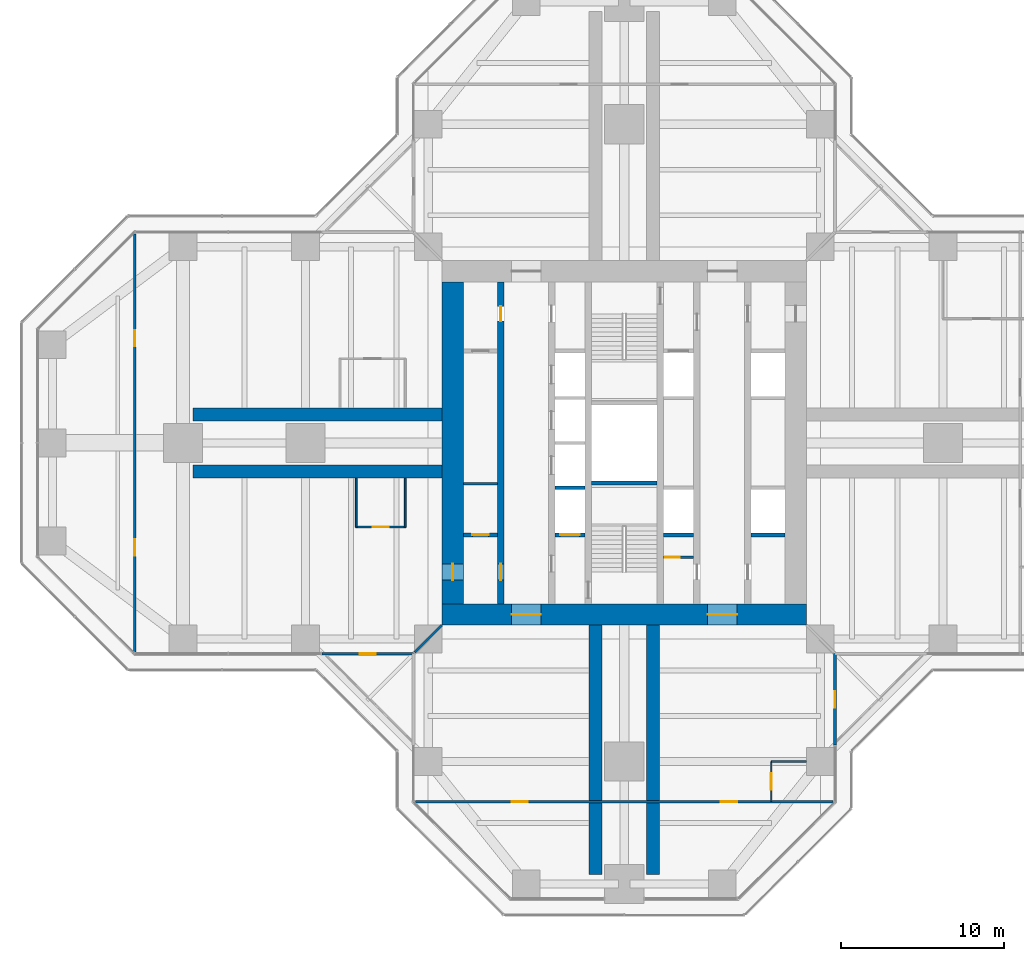
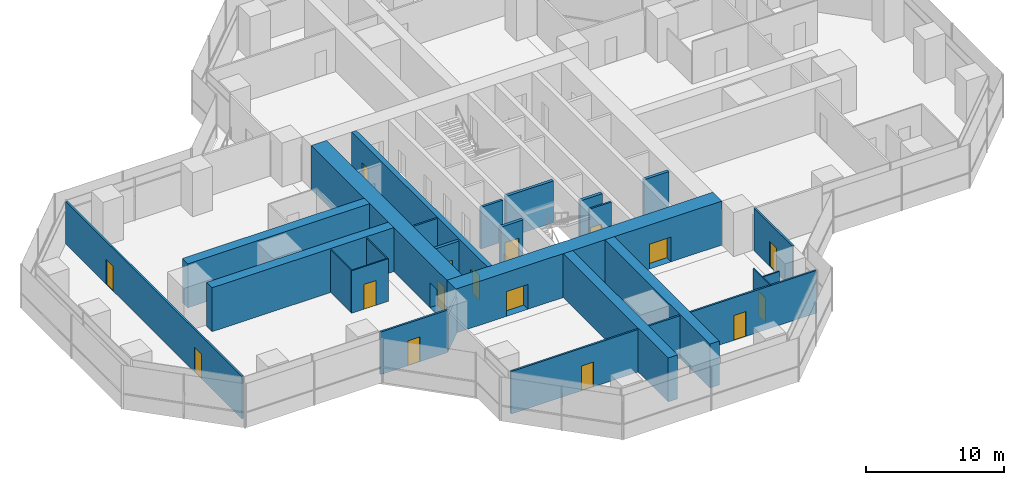
# One storey, part 15 of 19: 25 walls, 16 doors, 16 openings.
"""IFC4 building model written with IfcOpenShell, lengths in metres."""

from ifc_helpers import new_model, si_unit, direction, frame, frame_2d, origin, place, context, subcontext, project, spatial, rectangle, extrude, material, layer, layer_set, type_object, element, fill, save


model = new_model("IFC4")

# Units and contexts
model_context = context("Model", 3, precision=1e-05, world=origin(), true_north=direction((0.0, 1.0)))
body_context = subcontext(model_context, "Body", "Model", "MODEL_VIEW")
ifc_project = project(units=[si_unit("LENGTHUNIT", "METRE"), si_unit("AREAUNIT", "SQUARE_METRE"), si_unit("VOLUMEUNIT", "CUBIC_METRE"), si_unit("PLANEANGLEUNIT", "RADIAN"), si_unit("MASSUNIT", "GRAM", prefix="KILO")], contexts=[model_context])

# Site, building, storey
site_placement = place(None, origin())
site = spatial("IfcSite", under=ifc_project, at=site_placement, CompositionType="ELEMENT")
building_placement = place(site_placement, origin())
building = spatial("IfcBuilding", under=site, at=building_placement, Name="Mizan Broadcast Tower", CompositionType="ELEMENT")
storey_placement = place(building_placement, frame((0.0, 0.0, 128.10009765625)))
storey = spatial("IfcBuildingStorey", under=building, at=storey_placement, Name="L28", CompositionType="ELEMENT", Elevation=128.10009765625)

# Wall, openings, doors
ifc_material_1 = material(Name="Concrete C70/85", Category="concrete")
ifc_layer_1 = layer(ifc_material_1, 0.39990234375)
ifc_layer_set_1 = layer_set([ifc_layer_1], Name="Concrete C70/85")
wall_type_1 = type_object("IfcWallType", Name="CORE INTERNAL WALL 400", PredefinedType="SHEAR", material=ifc_layer_set_1)
wall_1_placement = place(storey_placement, frame((-7.550048828125, -9.85009765625, 0.0), z_axis=(0.0, 0.0, 1.0), x_axis=(0.0, 1.0, 0.0)))
wall_1 = element("IfcWall", 1, at=wall_1_placement, inside=storey, type_object=wall_type_1, Name="Core wall CORE/XW1", PredefinedType="SHEAR", context=body_context, shape_type="SweptSolid", body=[
    extrude(rectangle(XDim=19.7001953125, YDim=0.39990234375, at=frame_2d((9.85009765625, 0.0))), origin(), (0.0, 0.0, 1.0), 3.89990234375),
])
opening_1_placement = place(wall_1_placement, frame((1.449951171875, 0.0, 0.0)))
opening_1 = element("IfcOpeningElement", 2, at=opening_1_placement, cuts=wall_1, Name="Opening D10F", PredefinedType="OPENING", context=body_context, shape_type="SweptSolid", body=[
    extrude(rectangle(XDim=1.0, YDim=2.199951171875, at=frame_2d((0.5, 1.10009765625))), frame((0.0, 0.2099609375, 0.0), z_axis=(0.0, -1.0, 0.0), x_axis=(1.0, 0.0, 0.0)), (0.0, 0.0, 1.0), 0.419921875),
])
opening_2_placement = place(wall_1_placement, frame((17.300048828125, 0.0, 0.0)))
opening_2 = element("IfcOpeningElement", 3, at=opening_2_placement, cuts=wall_1, Name="Opening D09", PredefinedType="OPENING", context=body_context, shape_type="SweptSolid", body=[
    extrude(rectangle(XDim=0.89990234375, YDim=2.10009765625, at=frame_2d((0.449951171875, 1.050048828125))), frame((0.0, 0.2099609375, 0.0), z_axis=(0.0, -1.0, 0.0), x_axis=(1.0, 0.0, 0.0)), (0.0, 0.0, 1.0), 0.419921875),
])
ifc_material_2 = material(Name="Steel door leaf in steel frame", Category="steel")
door_type_1 = type_object("IfcDoorType", Name="FIRE DOOR 1000 FD90", OperationType="SINGLE_SWING_LEFT", PredefinedType="DOOR", material=ifc_material_2)
door_1_placement = place(opening_1_placement, origin())
door_1 = element("IfcDoor", 4, at=door_1_placement, inside=storey, type_object=door_type_1, Name="West core passage door", OperationType="SINGLE_SWING_LEFT", OverallHeight=2.199951171875, OverallWidth=1.0, PredefinedType="DOOR", context=body_context, shape_type="SweptSolid", body=[
    extrude(rectangle(XDim=1.0, YDim=2.199951171875, at=frame_2d((0.5, 1.10009765625))), frame((0.0, 0.02490234375, 0.0), z_axis=(0.0, -1.0, 0.0), x_axis=(1.0, 0.0, 0.0)), (0.0, 0.0, 1.0), 0.050048828125),
])
fill(opening_1, door_1)
ifc_material_3 = material(Name="Timber door leaf in aluminium frame", Category="wood")
door_type_2 = type_object("IfcDoorType", Name="TOILET DOOR 900", OperationType="SINGLE_SWING_LEFT", PredefinedType="DOOR", material=ifc_material_3)
door_2_placement = place(opening_2_placement, origin())
door_2 = element("IfcDoor", 5, at=door_2_placement, inside=storey, type_object=door_type_2, Name="Male WC door", OperationType="SINGLE_SWING_RIGHT", OverallHeight=2.10009765625, OverallWidth=0.89990234375, PredefinedType="DOOR", context=body_context, shape_type="SweptSolid", body=[
    extrude(rectangle(XDim=0.89990234375, YDim=2.10009765625, at=frame_2d((0.449951171875, 1.050048828125))), frame((0.0, 0.02490234375, 0.0), z_axis=(0.0, -1.0, 0.0), x_axis=(1.0, 0.0, 0.0)), (0.0, 0.0, 1.0), 0.050048828125),
])
fill(opening_2, door_2)

# Wall
ifc_material_4 = material(Name="Concrete blockwork", Category="masonry")
ifc_layer_2 = layer(ifc_material_4, 0.14990234375)
ifc_layer_set_2 = layer_set([ifc_layer_2], Name="Concrete blockwork")
wall_type_2 = type_object("IfcWallType", Name="CORE PARTITION 150", PredefinedType="SOLIDWALL", material=ifc_layer_set_2)
wall_2_placement = place(storey_placement, frame((-9.85009765625, -2.5, 0.0), z_axis=(0.0, 0.0, 1.0), x_axis=(1.0, 0.0, 0.0)))
element("IfcWall", 6, at=wall_2_placement, inside=storey, type_object=wall_type_2, Name="Core partition CORE/XP1", PredefinedType="SOLIDWALL", context=body_context, shape_type="SweptSolid", body=[
    extrude(rectangle(XDim=2.10009765625, YDim=0.14990234375, at=frame_2d((1.050048828125, 0.0))), origin(), (0.0, 0.0, 1.0), 3.77001953125),
])

# Wall, opening, door
wall_3_placement = place(storey_placement, frame((2.39990234375, -7.0, 0.0), z_axis=(0.0, 0.0, 1.0), x_axis=(1.0, 0.0, 0.0)))
wall_3 = element("IfcWall", 7, at=wall_3_placement, inside=storey, type_object=wall_type_2, Name="Core partition CORE/XPC", PredefinedType="SOLIDWALL", context=body_context, shape_type="SweptSolid", body=[
    extrude(rectangle(XDim=1.85009765625, YDim=0.14990234375, at=frame_2d((0.925048828125, 0.0))), origin(), (0.0, 0.0, 1.0), 3.77001953125),
])
opening_3_placement = place(wall_3_placement, frame((0.10009765625, 0.0, 0.0)))
opening_3 = element("IfcOpeningElement", 8, at=opening_3_placement, cuts=wall_3, Name="Opening D09F", PredefinedType="OPENING", context=body_context, shape_type="SweptSolid", body=[
    extrude(rectangle(XDim=0.89990234375, YDim=2.10009765625, at=frame_2d((0.449951171875, 1.050048828125))), frame((0.0, 0.0849609375, 0.0), z_axis=(0.0, -1.0, 0.0), x_axis=(1.0, 0.0, 0.0)), (0.0, 0.0, 1.0), 0.169921875),
])
ifc_material_5 = material(Name="Steel door leaf in steel frame", Category="steel")
door_type_3 = type_object("IfcDoorType", Name="CORE ROOM DOOR 900 FD90", OperationType="SINGLE_SWING_LEFT", PredefinedType="DOOR", material=ifc_material_5)
door_3_placement = place(opening_3_placement, origin())
door_3 = element("IfcDoor", 9, at=door_3_placement, inside=storey, type_object=door_type_3, Name="Waste store door", OperationType="SINGLE_SWING_LEFT", OverallHeight=2.10009765625, OverallWidth=0.89990234375, PredefinedType="DOOR", context=body_context, shape_type="SweptSolid", body=[
    extrude(rectangle(XDim=0.89990234375, YDim=2.10009765625, at=frame_2d((0.449951171875, 1.050048828125))), frame((0.0, 0.02490234375, 0.0), z_axis=(0.0, -1.0, 0.0), x_axis=(1.0, 0.0, 0.0)), (0.0, 0.0, 1.0), 0.050048828125),
])
fill(opening_3, door_3)

# Wall, openings, doors
ifc_material_6 = material(Name="Concrete C70/85", Category="concrete")
ifc_layer_3 = layer(ifc_material_6, 1.300048828125)
ifc_layer_set_3 = layer_set([ifc_layer_3], Name="Concrete C70/85")
wall_type_3 = type_object("IfcWallType", Name="CORE WALL 1300", PredefinedType="SHEAR", material=ifc_layer_set_3)
wall_4_placement = place(storey_placement, frame((11.14990234375, -10.5, 0.0), z_axis=(0.0, 0.0, 1.0), x_axis=(-1.0, 0.0, 0.0)))
wall_4 = element("IfcWall", 10, at=wall_4_placement, inside=storey, type_object=wall_type_3, Name="Core wall S L28", PredefinedType="SHEAR", context=body_context, shape_type="SweptSolid", body=[
    extrude(rectangle(XDim=22.2998046875, YDim=1.300048828125, at=frame_2d((11.14990234375, 0.0))), origin(), (0.0, 0.0, 1.0), 3.89990234375),
])
opening_4_placement = place(wall_4_placement, frame((16.25, 0.0, 0.0)))
opening_4 = element("IfcOpeningElement", 11, at=opening_4_placement, cuts=wall_4, Name="Opening D18F", PredefinedType="OPENING", context=body_context, shape_type="SweptSolid", body=[
    extrude(rectangle(XDim=1.800048828125, YDim=2.199951171875, at=frame_2d((0.89990234375, 1.10009765625))), frame((0.0, 0.659912109375, 0.0), z_axis=(0.0, -1.0, 0.0), x_axis=(1.0, 0.0, 0.0)), (0.0, 0.0, 1.0), 1.320068359375),
])
opening_5_placement = place(wall_4_placement, frame((4.25, 0.0, 0.0)))
opening_5 = element("IfcOpeningElement", 12, at=opening_5_placement, cuts=wall_4, Name="Opening D18F", PredefinedType="OPENING", context=body_context, shape_type="SweptSolid", body=[
    extrude(rectangle(XDim=1.800048828125, YDim=2.199951171875, at=frame_2d((0.89990234375, 1.10009765625))), frame((0.0, 0.659912109375, 0.0), z_axis=(0.0, -1.0, 0.0), x_axis=(1.0, 0.0, 0.0)), (0.0, 0.0, 1.0), 1.320068359375),
])
ifc_material_7 = material(Name="Steel door leaf in steel frame", Category="steel")
door_type_4 = type_object("IfcDoorType", Name="LOBBY DOUBLE DOOR 1800 FD90", OperationType="DOUBLE_DOOR_DOUBLE_SWING", PredefinedType="DOOR", material=ifc_material_7)
door_4_placement = place(opening_4_placement, origin())
door_4 = element("IfcDoor", 13, at=door_4_placement, inside=storey, type_object=door_type_4, Name="West lift lobby south door", OperationType="DOUBLE_DOOR_DOUBLE_SWING", OverallHeight=2.199951171875, OverallWidth=1.800048828125, PredefinedType="DOOR", context=body_context, shape_type="SweptSolid", body=[
    extrude(rectangle(XDim=1.800048828125, YDim=2.199951171875, at=frame_2d((0.89990234375, 1.10009765625))), frame((0.0, 0.02490234375, 0.0), z_axis=(0.0, -1.0, 0.0), x_axis=(1.0, 0.0, 0.0)), (0.0, 0.0, 1.0), 0.050048828125),
])
fill(opening_4, door_4)
door_5_placement = place(opening_5_placement, origin())
door_5 = element("IfcDoor", 14, at=door_5_placement, inside=storey, type_object=door_type_4, Name="East lift lobby south door", OperationType="DOUBLE_DOOR_DOUBLE_SWING", OverallHeight=2.199951171875, OverallWidth=1.800048828125, PredefinedType="DOOR", context=body_context, shape_type="SweptSolid", body=[
    extrude(rectangle(XDim=1.800048828125, YDim=2.199951171875, at=frame_2d((0.89990234375, 1.10009765625))), frame((0.0, 0.02490234375, 0.0), z_axis=(0.0, -1.0, 0.0), x_axis=(1.0, 0.0, 0.0)), (0.0, 0.0, 1.0), 0.050048828125),
])
fill(opening_5, door_5)

# Wall, opening, door
wall_5_placement = place(storey_placement, frame((-10.5, 9.85009765625, 0.0), z_axis=(0.0, 0.0, 1.0), x_axis=(0.0, -1.0, 0.0)))
wall_5 = element("IfcWall", 15, at=wall_5_placement, inside=storey, type_object=wall_type_3, Name="Core wall W L28", PredefinedType="SHEAR", context=body_context, shape_type="SweptSolid", body=[
    extrude(rectangle(XDim=19.7001953125, YDim=1.300048828125, at=frame_2d((9.85009765625, 0.0))), origin(), (0.0, 0.0, 1.0), 3.89990234375),
])
opening_6_placement = place(wall_5_placement, frame((17.25, 0.0, 0.0)))
opening_6 = element("IfcOpeningElement", 16, at=opening_6_placement, cuts=wall_5, Name="Opening D10F", PredefinedType="OPENING", context=body_context, shape_type="SweptSolid", body=[
    extrude(rectangle(XDim=1.0, YDim=2.199951171875, at=frame_2d((0.5, 1.10009765625))), frame((0.0, 0.659912109375, 0.0), z_axis=(0.0, -1.0, 0.0), x_axis=(1.0, 0.0, 0.0)), (0.0, 0.0, 1.0), 1.320068359375),
])
door_6_placement = place(opening_6_placement, origin())
door_6 = element("IfcDoor", 17, at=door_6_placement, inside=storey, type_object=door_type_1, Name="West core passage arm door", OperationType="SINGLE_SWING_RIGHT", OverallHeight=2.199951171875, OverallWidth=1.0, PredefinedType="DOOR", context=body_context, shape_type="SweptSolid", body=[
    extrude(rectangle(XDim=1.0, YDim=2.199951171875, at=frame_2d((0.5, 1.10009765625))), frame((0.0, 0.02490234375, 0.0), z_axis=(0.0, -1.0, 0.0), x_axis=(1.0, 0.0, 0.0)), (0.0, 0.0, 1.0), 0.050048828125),
])
fill(opening_6, door_6)

ifc_material_8 = material(Name="Aluminium framed glazed screen", Category="aluminium")
ifc_layer_4 = layer(ifc_material_8, 0.159912109375)
ifc_layer_set_4 = layer_set([ifc_layer_4], Name="Aluminium framed glazed screen")
wall_type_4 = type_object("IfcWallType", Name="GLAZED SCREEN WALL 160", PredefinedType="SOLIDWALL", material=ifc_layer_set_4)
wall_6_placement = place(storey_placement, frame((-18.5, -12.89990234375, 0.0), z_axis=(0.0, 0.0, 1.0), x_axis=(1.0, 0.0, 0.0)))
wall_6 = element("IfcWall", 18, at=wall_6_placement, inside=storey, type_object=wall_type_4, Name="Winter garden screen L28 W", PredefinedType="SOLIDWALL", context=body_context, shape_type="SweptSolid", body=[
    extrude(rectangle(XDim=5.60009765625, YDim=0.159912109375, at=frame_2d((2.800048828125, 0.0))), origin(), (0.0, 0.0, 1.0), 3.77001953125),
])
opening_7_placement = place(wall_6_placement, frame((2.300048828125, 0.0, 0.0)))
opening_7 = element("IfcOpeningElement", 19, at=opening_7_placement, cuts=wall_6, Name="Opening WGD", PredefinedType="OPENING", context=body_context, shape_type="SweptSolid", body=[
    extrude(rectangle(XDim=1.0, YDim=2.199951171875, at=frame_2d((0.5, 1.10009765625))), frame((0.0, 0.08984375, 0.0), z_axis=(0.0, -1.0, 0.0), x_axis=(1.0, 0.0, 0.0)), (0.0, 0.0, 1.0), 0.179931640625),
])
ifc_material_9 = material(Name="Aluminium framed glazed door", Category="aluminium")
door_type_5 = type_object("IfcDoorType", Name="WINTER GARDEN DOOR 1000 GLAZED", OperationType="SINGLE_SWING_LEFT", PredefinedType="DOOR", material=ifc_material_9)
door_7_placement = place(opening_7_placement, origin())
door_7 = element("IfcDoor", 20, at=door_7_placement, inside=storey, type_object=door_type_5, Name="Winter garden door L28 W", OperationType="SINGLE_SWING_RIGHT", OverallHeight=2.199951171875, OverallWidth=1.0, PredefinedType="DOOR", context=body_context, shape_type="SweptSolid", body=[
    extrude(rectangle(XDim=1.0, YDim=2.199951171875, at=frame_2d((0.5, 1.10009765625))), frame((0.0, 0.02490234375, 0.0), z_axis=(0.0, -1.0, 0.0), x_axis=(1.0, 0.0, 0.0)), (0.0, 0.0, 1.0), 0.050048828125),
])
fill(opening_7, door_7)

wall_7_placement = place(storey_placement, frame((12.89990234375, -18.5, 0.0), z_axis=(0.0, 0.0, 1.0), x_axis=(0.0, 1.0, 0.0)))
wall_7 = element("IfcWall", 21, at=wall_7_placement, inside=storey, type_object=wall_type_4, Name="Winter garden screen L28 S", PredefinedType="SOLIDWALL", context=body_context, shape_type="SweptSolid", body=[
    extrude(rectangle(XDim=5.60009765625, YDim=0.159912109375, at=frame_2d((2.800048828125, 0.0))), origin(), (0.0, 0.0, 1.0), 3.77001953125),
])
opening_8_placement = place(wall_7_placement, frame((2.300048828125, 0.0, 0.0)))
opening_8 = element("IfcOpeningElement", 22, at=opening_8_placement, cuts=wall_7, Name="Opening WGD", PredefinedType="OPENING", context=body_context, shape_type="SweptSolid", body=[
    extrude(rectangle(XDim=1.0, YDim=2.199951171875, at=frame_2d((0.5, 1.10009765625))), frame((0.0, 0.08984375, 0.0), z_axis=(0.0, -1.0, 0.0), x_axis=(1.0, 0.0, 0.0)), (0.0, 0.0, 1.0), 0.179931640625),
])
door_8_placement = place(opening_8_placement, origin())
door_8 = element("IfcDoor", 23, at=door_8_placement, inside=storey, type_object=door_type_5, Name="Winter garden door L28 S", OperationType="SINGLE_SWING_RIGHT", OverallHeight=2.199951171875, OverallWidth=1.0, PredefinedType="DOOR", context=body_context, shape_type="SweptSolid", body=[
    extrude(rectangle(XDim=1.0, YDim=2.199951171875, at=frame_2d((0.5, 1.10009765625))), frame((0.0, 0.02490234375, 0.0), z_axis=(0.0, -1.0, 0.0), x_axis=(1.0, 0.0, 0.0)), (0.0, 0.0, 1.0), 0.050048828125),
])
fill(opening_8, door_8)

# Wall
ifc_material_10 = material(Name="Concrete blockwork", Category="masonry")
ifc_layer_5 = layer(ifc_material_10, 0.199951171875)
ifc_layer_set_5 = layer_set([ifc_layer_5], Name="Concrete blockwork")
wall_type_5 = type_object("IfcWallType", Name="LIFT SHAFT WALL 200", PredefinedType="SOLIDWALL", material=ifc_layer_set_5)
wall_8_placement = place(storey_placement, frame((-4.25, -2.75, 0.0), z_axis=(0.0, 0.0, 1.0), x_axis=(1.0, 0.0, 0.0)))
element("IfcWall", 24, at=wall_8_placement, inside=storey, type_object=wall_type_5, Name="Lift shaft wall CORE/SW2-1", PredefinedType="SOLIDWALL", context=body_context, shape_type="SweptSolid", body=[
    extrude(rectangle(XDim=1.85009765625, YDim=0.199951171875, at=frame_2d((0.925048828125, 0.0))), origin(), (0.0, 0.0, 1.0), 3.699951171875),
])

# Wall, opening, door
ifc_material_11 = material(Name="Concrete blockwork", Category="masonry")
ifc_layer_6 = layer(ifc_material_11, 0.25)
ifc_layer_set_6 = layer_set([ifc_layer_6], Name="Concrete blockwork")
wall_type_6 = type_object("IfcWallType", Name="LOBBY ENCLOSURE WALL 250", PredefinedType="SOLIDWALL", material=ifc_layer_set_6)
wall_9_placement = place(storey_placement, frame((-9.85009765625, -5.625, 0.0), z_axis=(0.0, 0.0, 1.0), x_axis=(1.0, 0.0, 0.0)))
wall_9 = element("IfcWall", 25, at=wall_9_placement, inside=storey, type_object=wall_type_6, Name="Lobby enclosure wall CORE/BW1S", PredefinedType="SOLIDWALL", context=body_context, shape_type="SweptSolid", body=[
    extrude(rectangle(XDim=2.10009765625, YDim=0.25, at=frame_2d((1.050048828125, 0.0))), origin(), (0.0, 0.0, 1.0), 3.699951171875),
])
opening_9_placement = place(wall_9_placement, frame((0.550048828125, 0.0, 0.0)))
opening_9 = element("IfcOpeningElement", 26, at=opening_9_placement, cuts=wall_9, Name="Opening D10F", PredefinedType="OPENING", context=body_context, shape_type="SweptSolid", body=[
    extrude(rectangle(XDim=1.0, YDim=2.199951171875, at=frame_2d((0.5, 1.10009765625))), frame((0.0, 0.135009765625, 0.0), z_axis=(0.0, -1.0, 0.0), x_axis=(1.0, 0.0, 0.0)), (0.0, 0.0, 1.0), 0.27001953125),
])
door_9_placement = place(opening_9_placement, origin())
door_9 = element("IfcDoor", 27, at=door_9_placement, inside=storey, type_object=door_type_1, Name="IT room door", OperationType="SINGLE_SWING_RIGHT", OverallHeight=2.199951171875, OverallWidth=1.0, PredefinedType="DOOR", context=body_context, shape_type="SweptSolid", body=[
    extrude(rectangle(XDim=1.0, YDim=2.199951171875, at=frame_2d((0.5, 1.10009765625))), frame((0.0, 0.02490234375, 0.0), z_axis=(0.0, -1.0, 0.0), x_axis=(1.0, 0.0, 0.0)), (0.0, 0.0, 1.0), 0.050048828125),
])
fill(opening_9, door_9)

wall_10_placement = place(storey_placement, frame((-4.25, -5.625, 0.0), z_axis=(0.0, 0.0, 1.0), x_axis=(1.0, 0.0, 0.0)))
wall_10 = element("IfcWall", 28, at=wall_10_placement, inside=storey, type_object=wall_type_6, Name="Lobby enclosure wall CORE/BW2S", PredefinedType="SOLIDWALL", context=body_context, shape_type="SweptSolid", body=[
    extrude(rectangle(XDim=1.85009765625, YDim=0.25, at=frame_2d((0.925048828125, 0.0))), origin(), (0.0, 0.0, 1.0), 3.699951171875),
])
opening_10_placement = place(wall_10_placement, frame((0.324951171875, 0.0, 0.0)))
opening_10 = element("IfcOpeningElement", 29, at=opening_10_placement, cuts=wall_10, Name="Opening LDF", PredefinedType="OPENING", context=body_context, shape_type="SweptSolid", body=[
    extrude(rectangle(XDim=1.199951171875, YDim=2.199951171875, at=frame_2d((0.60009765625, 1.10009765625))), frame((0.0, 0.135009765625, 0.0), z_axis=(0.0, -1.0, 0.0), x_axis=(1.0, 0.0, 0.0)), (0.0, 0.0, 1.0), 0.27001953125),
])
ifc_material_12 = material(Name="Steel door leaf in steel frame", Category="steel")
door_type_6 = type_object("IfcDoorType", Name="FIREFIGHTING LIFT LANDING DOOR 1200", OperationType="SLIDING_TO_LEFT", PredefinedType="DOOR", material=ifc_material_12)
door_10_placement = place(opening_10_placement, origin())
door_10 = element("IfcDoor", 30, at=door_10_placement, inside=storey, type_object=door_type_6, Name="Landing door FF1", OperationType="SLIDING_TO_LEFT", OverallHeight=2.199951171875, OverallWidth=1.199951171875, PredefinedType="DOOR", context=body_context, shape_type="SweptSolid", body=[
    extrude(rectangle(XDim=1.199951171875, YDim=2.199951171875, at=frame_2d((0.60009765625, 1.10009765625))), frame((0.0, 0.02490234375, 0.0), z_axis=(0.0, -1.0, 0.0), x_axis=(1.0, 0.0, 0.0)), (0.0, 0.0, 1.0), 0.050048828125),
])
fill(opening_10, door_10)

# Walls
wall_11_placement = place(storey_placement, frame((2.39990234375, -5.625, 0.0), z_axis=(0.0, 0.0, 1.0), x_axis=(1.0, 0.0, 0.0)))
element("IfcWall", 31, at=wall_11_placement, inside=storey, type_object=wall_type_6, Name="Lobby enclosure wall CORE/BE2S", PredefinedType="SOLIDWALL", context=body_context, shape_type="SweptSolid", body=[
    extrude(rectangle(XDim=1.85009765625, YDim=0.25, at=frame_2d((0.925048828125, 0.0))), origin(), (0.0, 0.0, 1.0), 3.699951171875),
])
wall_12_placement = place(storey_placement, frame((7.75, -5.625, 0.0), z_axis=(0.0, 0.0, 1.0), x_axis=(1.0, 0.0, 0.0)))
element("IfcWall", 32, at=wall_12_placement, inside=storey, type_object=wall_type_6, Name="Lobby enclosure wall CORE/BE1S", PredefinedType="SOLIDWALL", context=body_context, shape_type="SweptSolid", body=[
    extrude(rectangle(XDim=2.10009765625, YDim=0.25, at=frame_2d((1.050048828125, 0.0))), origin(), (0.0, 0.0, 1.0), 3.699951171875),
])
wall_13_placement = place(storey_placement, frame((-2.0, -2.449951171875, 0.0), z_axis=(0.0, 0.0, 1.0), x_axis=(1.0, 0.0, 0.0)))
element("IfcWall", 33, at=wall_13_placement, inside=storey, type_object=wall_type_6, Name="Lobby enclosure wall CORE/STA", PredefinedType="SOLIDWALL", context=body_context, shape_type="SweptSolid", body=[
    extrude(rectangle(XDim=4.0, YDim=0.25, at=frame_2d((2.0, 0.0))), origin(), (0.0, 0.0, 1.0), 3.699951171875),
])

# Wall, openings, doors
ifc_material_13 = material(Name="Gypsum board on steel studs", Category="steel")
ifc_layer_7 = layer(ifc_material_13, 0.14990234375)
ifc_layer_set_7 = layer_set([ifc_layer_7], Name="Gypsum board on steel studs")
wall_type_7 = type_object("IfcWallType", Name="PARTITION 150", PredefinedType="PARTITIONING", material=ifc_layer_set_7)
wall_14_placement = place(storey_placement, frame((-29.958984375, 12.786376953125, 0.0), z_axis=(0.0, 0.0, 1.0), x_axis=(0.0, -1.0, 0.0)))
wall_14 = element("IfcWall", 34, at=wall_14_placement, inside=storey, type_object=wall_type_7, Name="Partition PT/WX1", PredefinedType="PARTITIONING", context=body_context, shape_type="SweptSolid", body=[
    extrude(rectangle(XDim=25.57275390625, YDim=0.14990234375, at=frame_2d((12.786376953125, 0.0))), origin(), (0.0, 0.0, 1.0), 3.77001953125),
])
opening_11_placement = place(wall_14_placement, frame((18.6865234375, 0.0, 0.0)))
opening_11 = element("IfcOpeningElement", 35, at=opening_11_placement, cuts=wall_14, Name="Opening D10", PredefinedType="OPENING", context=body_context, shape_type="SweptSolid", body=[
    extrude(rectangle(XDim=1.0, YDim=2.199951171875, at=frame_2d((0.5, 1.10009765625))), frame((0.0, 0.0849609375, 0.0), z_axis=(0.0, -1.0, 0.0), x_axis=(1.0, 0.0, 0.0)), (0.0, 0.0, 1.0), 0.169921875),
])
opening_12_placement = place(wall_14_placement, frame((5.886474609375, 0.0, 0.0)))
opening_12 = element("IfcOpeningElement", 36, at=opening_12_placement, cuts=wall_14, Name="Opening D10", PredefinedType="OPENING", context=body_context, shape_type="SweptSolid", body=[
    extrude(rectangle(XDim=1.0, YDim=2.199951171875, at=frame_2d((0.5, 1.10009765625))), frame((0.0, 0.0849609375, 0.0), z_axis=(0.0, -1.0, 0.0), x_axis=(1.0, 0.0, 0.0)), (0.0, 0.0, 1.0), 0.169921875),
])
ifc_material_14 = material(Name="Timber door leaf in aluminium frame", Category="wood")
door_type_7 = type_object("IfcDoorType", Name="ROOM DOOR 1000", OperationType="SINGLE_SWING_LEFT", PredefinedType="DOOR", material=ifc_material_14)
door_11_placement = place(opening_11_placement, origin())
door_11 = element("IfcDoor", 37, at=door_11_placement, inside=storey, type_object=door_type_7, Name="Meeting room door", OperationType="SINGLE_SWING_RIGHT", OverallHeight=2.199951171875, OverallWidth=1.0, PredefinedType="DOOR", context=body_context, shape_type="SweptSolid", body=[
    extrude(rectangle(XDim=1.0, YDim=2.199951171875, at=frame_2d((0.5, 1.10009765625))), frame((0.0, 0.02490234375, 0.0), z_axis=(0.0, -1.0, 0.0), x_axis=(1.0, 0.0, 0.0)), (0.0, 0.0, 1.0), 0.050048828125),
])
fill(opening_11, door_11)
door_12_placement = place(opening_12_placement, origin())
door_12 = element("IfcDoor", 38, at=door_12_placement, inside=storey, type_object=door_type_7, Name="Meeting room door", OperationType="SINGLE_SWING_LEFT", OverallHeight=2.199951171875, OverallWidth=1.0, PredefinedType="DOOR", context=body_context, shape_type="SweptSolid", body=[
    extrude(rectangle(XDim=1.0, YDim=2.199951171875, at=frame_2d((0.5, 1.10009765625))), frame((0.0, 0.02490234375, 0.0), z_axis=(0.0, -1.0, 0.0), x_axis=(1.0, 0.0, 0.0)), (0.0, 0.0, 1.0), 0.050048828125),
])
fill(opening_12, door_12)

wall_15_placement = place(storey_placement, frame((-12.786376953125, -21.958984375, 0.0), z_axis=(0.0, 0.0, 1.0), x_axis=(1.0, 0.0, 0.0)))
wall_15 = element("IfcWall", 39, at=wall_15_placement, inside=storey, type_object=wall_type_7, Name="Partition PT/SX1", PredefinedType="PARTITIONING", context=body_context, shape_type="SweptSolid", body=[
    extrude(rectangle(XDim=25.57275390625, YDim=0.14990234375, at=frame_2d((12.786376953125, 0.0))), origin(), (0.0, 0.0, 1.0), 3.77001953125),
])
opening_13_placement = place(wall_15_placement, frame((18.6865234375, 0.0, 0.0)))
opening_13 = element("IfcOpeningElement", 40, at=opening_13_placement, cuts=wall_15, Name="Opening D10", PredefinedType="OPENING", context=body_context, shape_type="SweptSolid", body=[
    extrude(rectangle(XDim=1.0, YDim=2.199951171875, at=frame_2d((0.5, 1.10009765625))), frame((0.0, 0.0849609375, 0.0), z_axis=(0.0, -1.0, 0.0), x_axis=(1.0, 0.0, 0.0)), (0.0, 0.0, 1.0), 0.169921875),
])
opening_14_placement = place(wall_15_placement, frame((5.886474609375, 0.0, 0.0)))
opening_14 = element("IfcOpeningElement", 41, at=opening_14_placement, cuts=wall_15, Name="Opening D10", PredefinedType="OPENING", context=body_context, shape_type="SweptSolid", body=[
    extrude(rectangle(XDim=1.0, YDim=2.199951171875, at=frame_2d((0.5, 1.10009765625))), frame((0.0, 0.0849609375, 0.0), z_axis=(0.0, -1.0, 0.0), x_axis=(1.0, 0.0, 0.0)), (0.0, 0.0, 1.0), 0.169921875),
])
door_13_placement = place(opening_13_placement, origin())
door_13 = element("IfcDoor", 42, at=door_13_placement, inside=storey, type_object=door_type_7, Name="Meeting room door", OperationType="SINGLE_SWING_RIGHT", OverallHeight=2.199951171875, OverallWidth=1.0, PredefinedType="DOOR", context=body_context, shape_type="SweptSolid", body=[
    extrude(rectangle(XDim=1.0, YDim=2.199951171875, at=frame_2d((0.5, 1.10009765625))), frame((0.0, 0.02490234375, 0.0), z_axis=(0.0, -1.0, 0.0), x_axis=(1.0, 0.0, 0.0)), (0.0, 0.0, 1.0), 0.050048828125),
])
fill(opening_13, door_13)
door_14_placement = place(opening_14_placement, origin())
door_14 = element("IfcDoor", 43, at=door_14_placement, inside=storey, type_object=door_type_7, Name="Meeting room door", OperationType="SINGLE_SWING_LEFT", OverallHeight=2.199951171875, OverallWidth=1.0, PredefinedType="DOOR", context=body_context, shape_type="SweptSolid", body=[
    extrude(rectangle(XDim=1.0, YDim=2.199951171875, at=frame_2d((0.5, 1.10009765625))), frame((0.0, 0.02490234375, 0.0), z_axis=(0.0, -1.0, 0.0), x_axis=(1.0, 0.0, 0.0)), (0.0, 0.0, 1.0), 0.050048828125),
])
fill(opening_14, door_14)

# Walls
wall_16_placement = place(storey_placement, frame((-11.14990234375, -11.14990234375, 0.0), z_axis=(0.0, 0.0, 1.0), x_axis=(-0.707106781187, -0.707106781187, 0.0)))
element("IfcWall", 44, at=wall_16_placement, inside=storey, type_object=wall_type_7, Name="Partition PT/DGWS", PredefinedType="PARTITIONING", context=body_context, shape_type="SweptSolid", body=[
    extrude(rectangle(XDim=2.362060546875, YDim=0.14990234375, at=frame_2d((1.18115234375, 0.0))), origin(), (0.0, 0.0, 1.0), 3.219970703125),
])
ifc_material_15 = material(Name="Glazed aluminium partition on aluminium track", Category="aluminium")
ifc_layer_8 = layer(ifc_material_15, 0.10009765625)
ifc_layer_set_8 = layer_set([ifc_layer_8], Name="Glazed aluminium partition on aluminium track")
wall_type_8 = type_object("IfcWallType", Name="PARTITION GLAZED OFFICE FRONT 100", PredefinedType="PARTITIONING", material=ifc_layer_set_8)
for number, where, z_axis, x_axis, name in (
    (45, (-13.39990234375, -2.14990234375, 0.0), (0.0, 0.0, 1.0), (0.0, -1.0, 0.0), "Glazed office front PT/WKP0a"),
    (46, (-16.39990234375, -2.14990234375, 0.0), (0.0, 0.0, 1.0), (0.0, -1.0, 0.0), "Glazed office front PT/WKP0b"),
):
    element("IfcWall", number, at=place(storey_placement, frame(where, z_axis=z_axis, x_axis=x_axis)), inside=storey, type_object=wall_type_8, Name=name, PredefinedType="PARTITIONING", context=body_context, shape_type="SweptSolid", body=[
        extrude(rectangle(XDim=3.0, YDim=0.10009765625, at=frame_2d((1.5, 0.0))), origin(), (0.0, 0.0, 1.0), 3.77001953125),
    ])

# Wall, opening, door
wall_17_placement = place(storey_placement, frame((-13.35009765625, -5.14990234375, 0.0), z_axis=(0.0, 0.0, 1.0), x_axis=(-1.0, 0.0, 0.0)))
wall_17 = element("IfcWall", 47, at=wall_17_placement, inside=storey, type_object=wall_type_8, Name="Glazed office front PT/WKP0f", PredefinedType="PARTITIONING", context=body_context, shape_type="SweptSolid", body=[
    extrude(rectangle(XDim=3.099853515625, YDim=0.10009765625, at=frame_2d((1.5498046875, 0.0))), origin(), (0.0, 0.0, 1.0), 3.77001953125),
])
opening_15_placement = place(wall_17_placement, frame((1.050048828125, 0.0, 0.0)))
opening_15 = element("IfcOpeningElement", 48, at=opening_15_placement, cuts=wall_17, Name="Opening D10O", PredefinedType="OPENING", context=body_context, shape_type="SweptSolid", body=[
    extrude(rectangle(XDim=1.0, YDim=2.199951171875, at=frame_2d((0.5, 1.10009765625))), frame((0.0, 0.06005859375, 0.0), z_axis=(0.0, -1.0, 0.0), x_axis=(1.0, 0.0, 0.0)), (0.0, 0.0, 1.0), 0.1201171875),
])
ifc_material_16 = material(Name="Timber door leaf in aluminium frame", Category="wood")
door_type_8 = type_object("IfcDoorType", Name="OFFICE DOOR 1000 GLAZED", OperationType="SINGLE_SWING_LEFT", PredefinedType="DOOR", material=ifc_material_16)
door_15_placement = place(opening_15_placement, origin())
door_15 = element("IfcDoor", 49, at=door_15_placement, inside=storey, type_object=door_type_8, Name="Pantry door", OperationType="SINGLE_SWING_LEFT", OverallHeight=2.199951171875, OverallWidth=1.0, PredefinedType="DOOR", context=body_context, shape_type="SweptSolid", body=[
    extrude(rectangle(XDim=1.0, YDim=2.199951171875, at=frame_2d((0.5, 1.10009765625))), frame((0.0, 0.02490234375, 0.0), z_axis=(0.0, -1.0, 0.0), x_axis=(1.0, 0.0, 0.0)), (0.0, 0.0, 1.0), 0.050048828125),
])
fill(opening_15, door_15)

wall_18_placement = place(storey_placement, frame((9.0, -19.5, 0.0), z_axis=(0.0, 0.0, 1.0), x_axis=(0.0, -1.0, 0.0)))
wall_18 = element("IfcWall", 50, at=wall_18_placement, inside=storey, type_object=wall_type_8, Name="Glazed office front PT/SCP0", PredefinedType="PARTITIONING", context=body_context, shape_type="SweptSolid", body=[
    extrude(rectangle(XDim=2.458984375, YDim=0.10009765625, at=frame_2d((1.2294921875, 0.0))), origin(), (0.0, 0.0, 1.0), 3.77001953125),
])
opening_16_placement = place(wall_18_placement, frame((0.7294921875, 0.0, 0.0)))
opening_16 = element("IfcOpeningElement", 51, at=opening_16_placement, cuts=wall_18, Name="Opening D10O", PredefinedType="OPENING", context=body_context, shape_type="SweptSolid", body=[
    extrude(rectangle(XDim=1.0, YDim=2.199951171875, at=frame_2d((0.5, 1.10009765625))), frame((0.0, 0.06005859375, 0.0), z_axis=(0.0, -1.0, 0.0), x_axis=(1.0, 0.0, 0.0)), (0.0, 0.0, 1.0), 0.1201171875),
])
door_16_placement = place(opening_16_placement, origin())
door_16 = element("IfcDoor", 52, at=door_16_placement, inside=storey, type_object=door_type_8, Name="Quiet room door", OperationType="SINGLE_SWING_LEFT", OverallHeight=2.199951171875, OverallWidth=1.0, PredefinedType="DOOR", context=body_context, shape_type="SweptSolid", body=[
    extrude(rectangle(XDim=1.0, YDim=2.199951171875, at=frame_2d((0.5, 1.10009765625))), frame((0.0, 0.02490234375, 0.0), z_axis=(0.0, -1.0, 0.0), x_axis=(1.0, 0.0, 0.0)), (0.0, 0.0, 1.0), 0.050048828125),
])
fill(opening_16, door_16)

# Walls
wall_19_placement = place(storey_placement, frame((9.0, -19.5, 0.0), z_axis=(0.0, 0.0, 1.0), x_axis=(1.0, 0.0, 0.0)))
element("IfcWall", 53, at=wall_19_placement, inside=storey, type_object=wall_type_8, Name="Glazed office front PT/SQP1950", PredefinedType="PARTITIONING", context=body_context, shape_type="SweptSolid", body=[
    extrude(rectangle(XDim=2.14990234375, YDim=0.10009765625, at=frame_2d((1.074951171875, 0.0))), origin(), (0.0, 0.0, 1.0), 2.77001953125),
])
ifc_material_17 = material(Name="Concrete C70/85", Category="concrete")
ifc_layer_9 = layer(ifc_material_17, 0.800048828125)
ifc_layer_set_9 = layer_set([ifc_layer_9], Name="Concrete C70/85")
wall_type_9 = type_object("IfcWallType", Name="SPINE WALL 800", PredefinedType="SHEAR", material=ifc_layer_set_9)
for number, where, z_axis, x_axis, name in (
    (54, (-11.14990234375, 1.75, 0.0), (0.0, 0.0, 1.0), (-1.0, 0.0, 0.0), "Spine wall WR L28"),
    (55, (-11.14990234375, -1.75, 0.0), (0.0, 0.0, 1.0), (-1.0, 0.0, 0.0), "Spine wall WL L28"),
    (56, (-1.75, -11.14990234375, 0.0), (0.0, 0.0, 1.0), (0.0, -1.0, 0.0), "Spine wall SR L28"),
    (57, (1.75, -11.14990234375, 0.0), (0.0, 0.0, 1.0), (0.0, -1.0, 0.0), "Spine wall SL L28"),
):
    element("IfcWall", number, at=place(storey_placement, frame(where, z_axis=z_axis, x_axis=x_axis)), inside=storey, type_object=wall_type_9, Name=name, PredefinedType="SHEAR", context=body_context, shape_type="SweptSolid", body=[
        extrude(rectangle(XDim=15.25, YDim=0.800048828125, at=frame_2d((7.625, 0.0))), origin(), (0.0, 0.0, 1.0), 3.89990234375),
    ])

save(model, "model.ifc")
